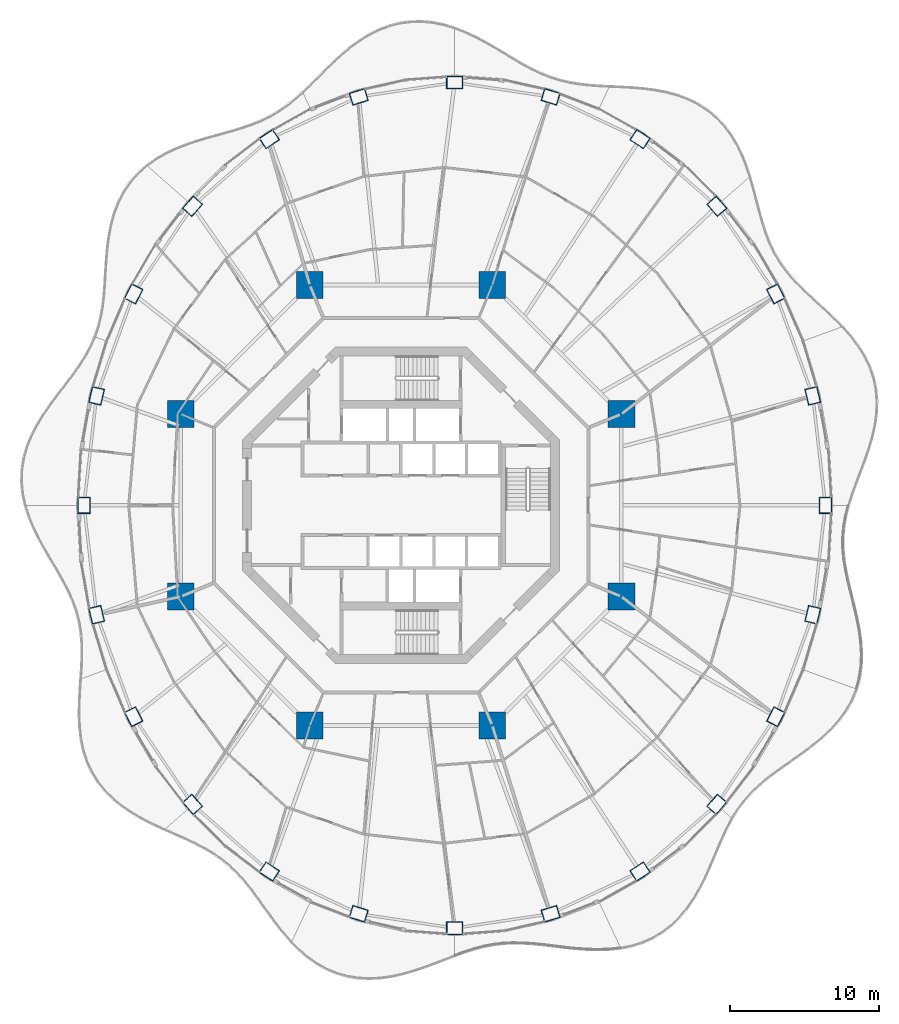
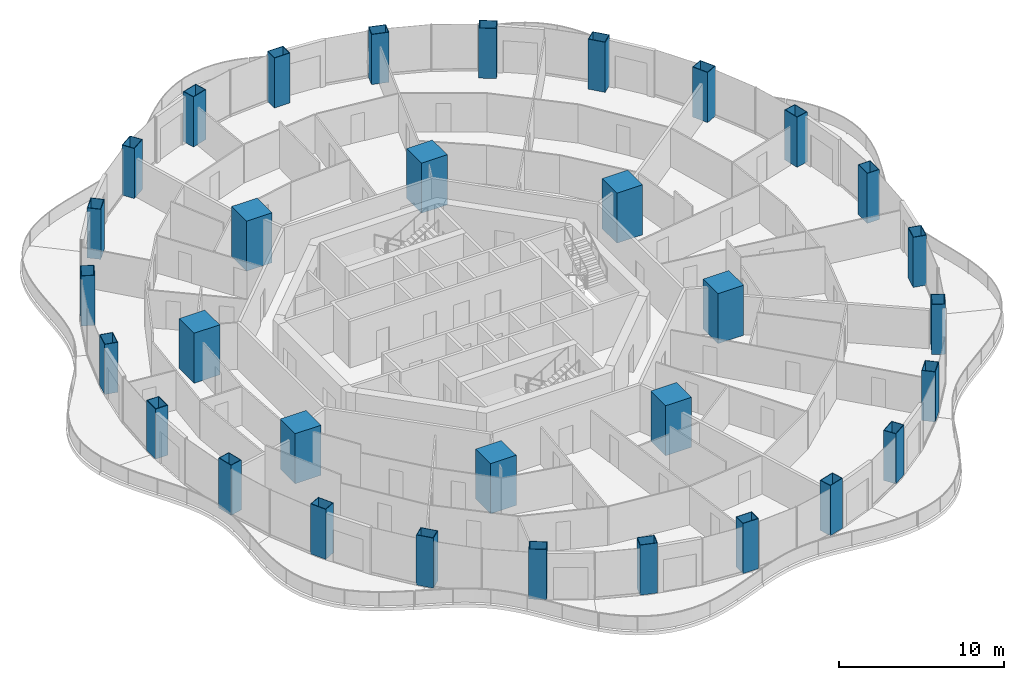
# One storey, part 1 of 19: 32 columns.
"""IFC4 building model written with IfcOpenShell, lengths in metres."""

from ifc_helpers import new_model, si_unit, direction, frame, origin, origin_2d, place, context, subcontext, project, spatial, rectangle, hollow_rectangle, extrude, material, material_profile, profile_set, type_object, element, save


model = new_model("IFC4")

# Units and contexts
model_context = context("Model", 3, precision=1e-05, world=origin(), true_north=direction((0.0, 1.0)))
body_context = subcontext(model_context, "Body", "Model", "MODEL_VIEW")
ifc_project = project(units=[si_unit("LENGTHUNIT", "METRE"), si_unit("AREAUNIT", "SQUARE_METRE"), si_unit("VOLUMEUNIT", "CUBIC_METRE"), si_unit("PLANEANGLEUNIT", "RADIAN"), si_unit("MASSUNIT", "GRAM", prefix="KILO")], contexts=[model_context])

# Site, building, storey
site_placement = place(None, origin())
site = spatial("IfcSite", under=ifc_project, at=site_placement, CompositionType="ELEMENT")
building_placement = place(site_placement, origin())
building = spatial("IfcBuilding", under=site, at=building_placement, Name="Nagisa Residences", CompositionType="ELEMENT")
storey_placement = place(building_placement, frame((0.0, 0.0, 191.800048828125)))
storey = spatial("IfcBuildingStorey", under=building, at=storey_placement, Name="L48", CompositionType="ELEMENT", Elevation=191.800048828125)

# Columns
ifc_material_1 = material(Name="Concrete C80", Category="concrete")
ifc_material_profile_1 = material_profile(ifc_material_1, rectangle(XDim=1.800048828125, YDim=1.800048828125, at=origin_2d()), Name="C80 1800x1800")
ifc_profile_set_1 = profile_set([ifc_material_profile_1], Name="Concrete C80")
column_type_1 = type_object("IfcColumnType", Name="Inner megacolumn C80 1800x1800", PredefinedType="COLUMN", material=ifc_profile_set_1)
for number, where, z_axis, x_axis, name in (
    (1, (14.781982421875, 6.123046875, 0.0), (0.0, 0.0, 1.0), (1.0, 0.0, 0.0), "col:L48:i1"),
    (2, (6.123046875, 14.781982421875, 0.0), (0.0, 0.0, 1.0), (1.0, 0.0, 0.0), "col:L48:i2"),
    (3, (-6.123046875, 14.781982421875, 0.0), (0.0, 0.0, 1.0), (1.0, 0.0, 0.0), "col:L48:i3"),
    (4, (-14.781982421875, 6.123046875, 0.0), (0.0, 0.0, 1.0), (1.0, 0.0, 0.0), "col:L48:i4"),
    (5, (-14.781982421875, -6.123046875, 0.0), (0.0, 0.0, 1.0), (1.0, 0.0, 0.0), "col:L48:i5"),
    (6, (-6.123046875, -14.781982421875, 0.0), (0.0, 0.0, 1.0), (1.0, 0.0, 0.0), "col:L48:i6"),
    (7, (6.123046875, -14.781982421875, 0.0), (0.0, 0.0, 1.0), (1.0, 0.0, 0.0), "col:L48:i7"),
    (8, (14.781982421875, -6.123046875, 0.0), (0.0, 0.0, 1.0), (1.0, 0.0, 0.0), "col:L48:i8"),
):
    element("IfcColumn", number, at=place(storey_placement, frame(where, z_axis=z_axis, x_axis=x_axis)), inside=storey, type_object=column_type_1, Name=name, PredefinedType="COLUMN", context=body_context, shape_type="SweptSolid", body=[
        extrude(rectangle(XDim=1.800048828125, YDim=1.800048828125, at=origin_2d()), origin(), (0.0, 0.0, 1.0), 3.699951171875),
    ])
ifc_material_2 = material(Name="Steel ASTM A572 Gr 50", Category="steel")
ifc_material_profile_2 = material_profile(ifc_material_2, hollow_rectangle(XDim=1.10009765625, YDim=0.85009765625, WallThickness=0.035888671875, at=origin_2d()), Name="BX 1100x850x36")
ifc_profile_set_2 = profile_set([ifc_material_profile_2], Name="Steel ASTM A572 Gr 50")
column_type_2 = type_object("IfcColumnType", Name="Perimeter column BX 1100x850x36", PredefinedType="COLUMN", material=ifc_profile_set_2)
for number, where, z_axis, x_axis, name in (
    (9, (28.47509765625, 0.0, 0.0), (0.0, 0.0, 1.0), (0.0, 1.0, 0.0), "col:L48:p00"),
    (10, (27.62744140625, 7.343994140625, 0.0), (0.0, 0.0, 1.0), (-0.229202013103, 0.973378876486, 0.0), "col:L48:p01"),
    (11, (25.142333984375, 14.1875, 0.0), (0.0, 0.0, 1.0), (-0.452462697578, 0.891783329795, 0.0), "col:L48:p02"),
    (12, (21.189208984375, 20.064208984375, 0.0), (0.0, 0.0, 1.0), (-0.660114607735, 0.751164898445, 0.0), "col:L48:p03"),
    (13, (16.03759765625, 24.573486328125, 0.0), (0.0, 0.0, 1.0), (-0.835766105673, 0.54908561865, 0.0), "col:L48:p04"),
    (14, (10.0380859375, 27.408203125, 0.0), (0.0, 0.0, 1.0), (-0.956524583408, 0.291651712384, 0.0), "col:L48:p05"),
    (15, (3.60009765625, 28.375, 0.0), (0.0, 0.0, 1.0), (-1.0, 0.0, 0.0), "col:L48:p06"),
    (16, (-2.838134765625, 27.408203125, 0.0), (0.0, 0.0, 1.0), (-0.956524583408, -0.291651712384, 0.0), "col:L48:p07"),
    (17, (-8.83740234375, 24.573486328125, 0.0), (0.0, 0.0, 1.0), (-0.835766105673, -0.54908561865, 0.0), "col:L48:p08"),
    (18, (-13.9892578125, 20.064208984375, 0.0), (0.0, 0.0, 1.0), (-0.660114607735, -0.751164898445, 0.0), "col:L48:p09"),
    (19, (-17.9423828125, 14.1875, 0.0), (0.0, 0.0, 1.0), (-0.452462697578, -0.891783329795, 0.0), "col:L48:p10"),
    (20, (-20.427490234375, 7.343994140625, 0.0), (0.0, 0.0, 1.0), (-0.229202013103, -0.973378876486, 0.0), "col:L48:p11"),
    (21, (-21.27490234375, 0.0, 0.0), (0.0, 0.0, 1.0), (0.0, -1.0, 0.0), "col:L48:p12"),
    (22, (-20.427490234375, -7.343994140625, 0.0), (0.0, 0.0, 1.0), (0.229202013103, -0.973378876486, 0.0), "col:L48:p13"),
    (23, (-17.9423828125, -14.1875, 0.0), (0.0, 0.0, 1.0), (0.452462697578, -0.891783329795, 0.0), "col:L48:p14"),
    (24, (-13.9892578125, -20.064208984375, 0.0), (0.0, 0.0, 1.0), (0.660114607735, -0.751164898445, 0.0), "col:L48:p15"),
    (25, (-8.83740234375, -24.573486328125, 0.0), (0.0, 0.0, 1.0), (0.835766105673, -0.54908561865, 0.0), "col:L48:p16"),
    (26, (-2.838134765625, -27.408203125, 0.0), (0.0, 0.0, 1.0), (0.956524583408, -0.291651712384, 0.0), "col:L48:p17"),
    (27, (3.60009765625, -28.375, 0.0), (0.0, 0.0, 1.0), (1.0, 0.0, 0.0), "col:L48:p18"),
    (28, (10.0380859375, -27.408203125, 0.0), (0.0, 0.0, 1.0), (0.956524583408, 0.291651712384, 0.0), "col:L48:p19"),
    (29, (16.03759765625, -24.573486328125, 0.0), (0.0, 0.0, 1.0), (0.835766105673, 0.54908561865, 0.0), "col:L48:p20"),
    (30, (21.189208984375, -20.064208984375, 0.0), (0.0, 0.0, 1.0), (0.660114607735, 0.751164898445, 0.0), "col:L48:p21"),
    (31, (25.142333984375, -14.1875, 0.0), (0.0, 0.0, 1.0), (0.452462697578, 0.891783329795, 0.0), "col:L48:p22"),
    (32, (27.62744140625, -7.343994140625, 0.0), (0.0, 0.0, 1.0), (0.229202013103, 0.973378876486, 0.0), "col:L48:p23"),
):
    element("IfcColumn", number, at=place(storey_placement, frame(where, z_axis=z_axis, x_axis=x_axis)), inside=storey, type_object=column_type_2, Name=name, PredefinedType="COLUMN", context=body_context, shape_type="SweptSolid", body=[
        extrude(hollow_rectangle(XDim=1.10009765625, YDim=0.85009765625, WallThickness=0.035888671875, at=origin_2d()), origin(), (0.0, 0.0, 1.0), 3.699951171875),
    ])

save(model, "model.ifc")
